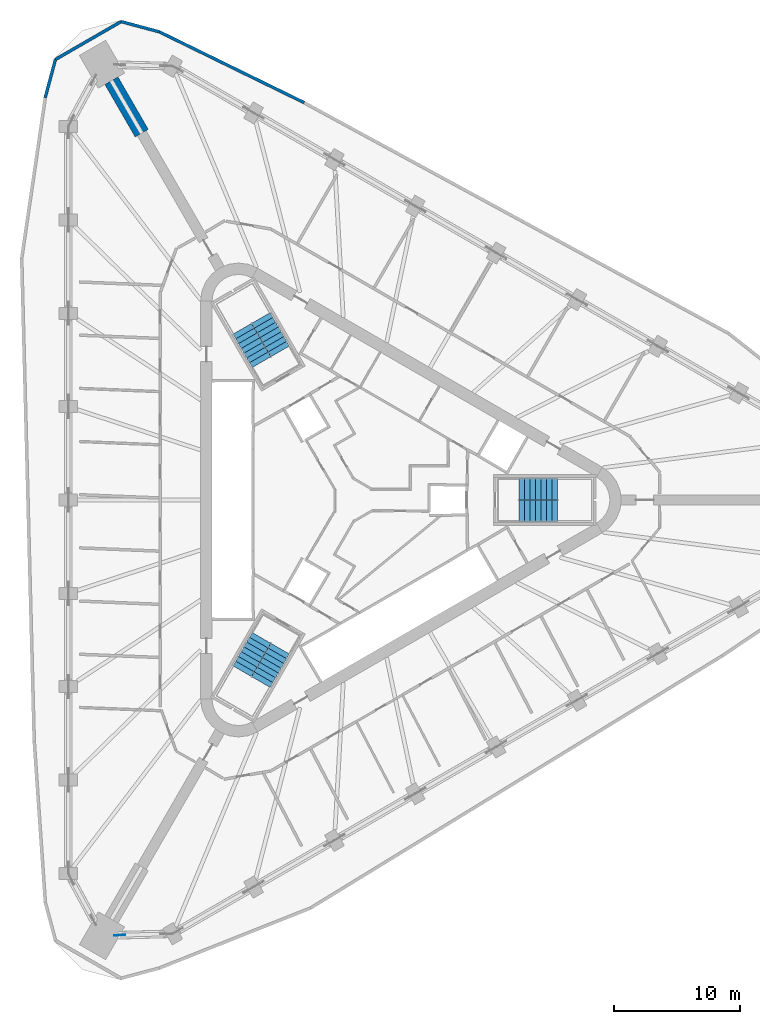
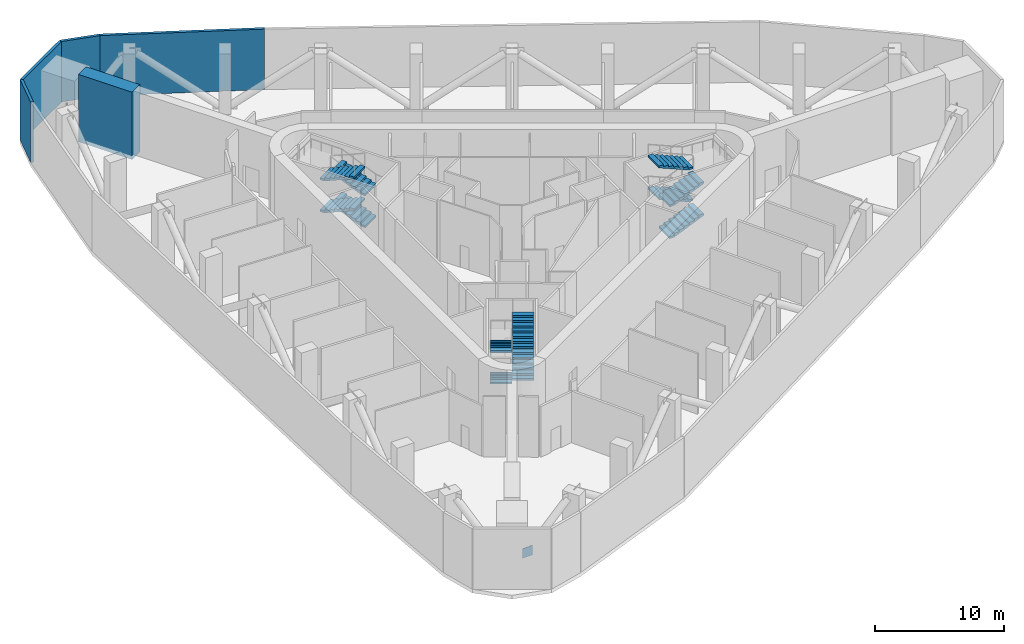
# One storey, part 8 of 13: 12 stair flights, 5 walls, 1 discrete accessory, 3 elements without a shape of their own.
"""IFC4 building model written with IfcOpenShell, lengths in metres."""

from ifc_helpers import new_model, si_unit, direction, frame, frame_2d, origin, origin_2d, place, context, subcontext, project, spatial, polyline, rectangle, outline, extrude, material, layer, layer_set, type_object, element, aggregate, save


model = new_model("IFC4")

# Units and contexts
model_context = context("Model", 3, precision=1e-05, world=origin(), true_north=direction((0.0, 1.0)))
body_context = subcontext(model_context, "Body", "Model", "MODEL_VIEW")
ifc_project = project(units=[si_unit("LENGTHUNIT", "METRE"), si_unit("AREAUNIT", "SQUARE_METRE"), si_unit("VOLUMEUNIT", "CUBIC_METRE"), si_unit("PLANEANGLEUNIT", "RADIAN"), si_unit("MASSUNIT", "GRAM", prefix="KILO")], contexts=[model_context])

# Site, building, storey
site_placement = place(None, origin())
site = spatial("IfcSite", under=ifc_project, at=site_placement, CompositionType="ELEMENT")
building_placement = place(site_placement, origin())
building = spatial("IfcBuilding", under=site, at=building_placement, Name="Tanit Gate Tower", CompositionType="ELEMENT")
storey_placement = place(building_placement, frame((0.0, 0.0, 163.199951171875)))
storey = spatial("IfcBuildingStorey", under=building, at=storey_placement, Name="L35", CompositionType="ELEMENT", Elevation=163.199951171875)

# Walls
ifc_material_1 = material(Name="Concrete C30/37 with bronze anodised aluminium cladding", Category="concrete")
ifc_layer_1 = layer(ifc_material_1, 0.239990234375)
ifc_layer_set_1 = layer_set([ifc_layer_1], Name="Facade wall bronze clad 240")
wall_type_1 = type_object("IfcWallType", Name="Facade wall bronze clad 240", PredefinedType="SOLIDWALL", material=ifc_layer_set_1)
wall_1_placement = place(storey_placement, frame((-3.9072265625, 31.460205078125, 0.0), z_axis=(0.0, 0.0, 1.0), x_axis=(-0.898378322221, 0.439222483672, 0.0)))
element("IfcWall", 1, at=wall_1_placement, inside=storey, type_object=wall_type_1, Name="Bronze-clad facade wall L35 NE3", PredefinedType="SOLIDWALL", context=body_context, shape_type="SweptSolid", body=[
    extrude(rectangle(XDim=12.76220703125, YDim=0.239990234375, at=frame_2d((6.381103515625, 0.0))), origin(), (0.0, 0.0, 1.0), 5.699951171875),
])
wall_2_placement = place(storey_placement, frame((-15.37255859375, 37.065673828125, 0.0), z_axis=(0.0, 0.0, 1.0), x_axis=(-0.965928914048, 0.258807521156, 0.0)))
element("IfcWall", 2, at=wall_2_placement, inside=storey, type_object=wall_type_1, Name="Bronze-clad facade wall L35 NW.arc1", PredefinedType="SOLIDWALL", context=body_context, shape_type="SweptSolid", body=[
    extrude(rectangle(XDim=3.1318359375, YDim=0.239990234375, at=frame_2d((1.56591796875, 0.0))), origin(), (0.0, 0.0, 1.0), 5.699951171875),
])
wall_3_placement = place(storey_placement, frame((-18.397705078125, 37.876220703125, 0.0), z_axis=(0.0, 0.0, 1.0), x_axis=(-0.866037453254, -0.499979129126, 0.0)))
element("IfcWall", 3, at=wall_3_placement, inside=storey, type_object=wall_type_1, Name="Bronze-clad facade wall L35 NW.arc2", PredefinedType="SOLIDWALL", context=body_context, shape_type="SweptSolid", body=[
    extrude(rectangle(XDim=6.010498046875, YDim=0.239990234375, at=frame_2d((3.00537109375, 0.0))), origin(), (0.0, 0.0, 1.0), 5.699951171875),
])
wall_4_placement = place(storey_placement, frame((-23.60302734375, 34.87109375, 0.0), z_axis=(0.0, 0.0, 1.0), x_axis=(-0.258820386593, -0.965925466837, 0.0)))
element("IfcWall", 4, at=wall_4_placement, inside=storey, type_object=wall_type_1, Name="Bronze-clad facade wall L35 NW.arc3", PredefinedType="SOLIDWALL", context=body_context, shape_type="SweptSolid", body=[
    extrude(rectangle(XDim=3.136474609375, YDim=0.239990234375, at=frame_2d((1.568359375, 0.0))), origin(), (0.0, 0.0, 1.0), 5.699951171875),
])
ifc_material_2 = material(Name="Concrete C60/75", Category="concrete")
ifc_layer_2 = layer(ifc_material_2, 1.199951171875)
ifc_layer_set_2 = layer_set([ifc_layer_2], Name="OUTRIGGER WALL 1200 C60/75")
wall_type_2 = type_object("IfcWallType", Name="OUTRIGGER WALL 1200 C60/75", PredefinedType="SHEAR", material=ifc_layer_set_2)
wall_5_placement = place(storey_placement, frame((-16.766845703125, 29.041015625, -0.349853515625), z_axis=(0.0, 0.0, 1.0), x_axis=(-0.499998569178, 0.866026229868, 0.0)))
element("IfcWall", 5, at=wall_5_placement, inside=storey, type_object=wall_type_2, Name="OUTRIGGER WALL", PredefinedType="SHEAR", context=body_context, shape_type="SweptSolid", body=[
    extrude(rectangle(XDim=4.79638671875, YDim=1.199951171875, at=frame_2d((2.398193359375, 0.0))), origin(), (0.0, 0.0, 1.0), 6.349853515625),
])

# Stair, stair flights
ifc_material_3 = material(Name="Concrete C40/50", Category="concrete")
stair_type = type_object("IfcStairType", Name="INT-STAIR-EXIT", PredefinedType="HALF_TURN_STAIR", material=ifc_material_3)
stair_1_placement = place(storey_placement, origin())
stair_1 = element("IfcStair", 6, at=stair_1_placement, inside=storey, type_object=stair_type, Name="L35 STAIR S1", PredefinedType="HALF_TURN_STAIR")
ifc_material_4 = material(Name="Concrete C40/50", Category="concrete")
stair_flight_type = type_object("IfcStairFlightType", Name="INT-STAIR-FLIGHT", PredefinedType="STRAIGHT", material=ifc_material_4)
stair_flight_1_placement = place(storey_placement, frame((13.094970703125, -0.8525390625, 0.0), z_axis=(0.0, 0.0, 1.0), x_axis=(1.0, 0.0, 0.0)))
stair_flight_1 = element("IfcStairFlight", 7, at=stair_flight_1_placement, type_object=stair_flight_type, Name="S1 flight 1", NumberOfRisers=8, NumberOfTreads=7, PredefinedType="STRAIGHT", RiserHeight=0.1875, TreadLength=0.435857143, context=body_context, shape_type="SweptSolid", body=[
    extrude(outline(polyline([(0.0, 0.0), (0.0, 0.1875), (0.435791015625, 0.1875), (0.435791015625, 0.375), (0.871826171875, 0.375), (0.871826171875, 0.5625), (1.3076171875, 0.5625), (1.3076171875, 0.75), (1.743408203125, 0.75), (1.743408203125, 0.9375), (2.17919921875, 0.9375), (2.17919921875, 1.125), (2.615234375, 1.125), (2.615234375, 1.3125), (3.051025390625, 1.3125), (3.051025390625, 1.5), (3.051025390625, 1.1494140625), (0.37939453125, 0.0), (0.0, 0.0)])), frame((0.0, 0.84765625, 0.0), z_axis=(0.0, -1.0, 0.0), x_axis=(1.0, 0.0, 0.0)), (0.0, 0.0, 1.0), 1.695068359375),
])
stair_flight_2_placement = place(storey_placement, frame((16.14599609375, 0.8525390625, 1.5), z_axis=(0.0, 0.0, 1.0), x_axis=(-1.0, 0.0, 0.0)))
stair_flight_2 = element("IfcStairFlight", 8, at=stair_flight_2_placement, type_object=stair_flight_type, Name="S1 flight 2", NumberOfRisers=8, NumberOfTreads=7, PredefinedType="STRAIGHT", RiserHeight=0.1875, TreadLength=0.435857143, context=body_context, shape_type="SweptSolid", body=[
    extrude(outline(polyline([(0.0, 0.0), (0.0, 0.1875), (0.435791015625, 0.1875), (0.435791015625, 0.375), (0.871826171875, 0.375), (0.871826171875, 0.5625), (1.3076171875, 0.5625), (1.3076171875, 0.75), (1.743408203125, 0.75), (1.743408203125, 0.9375), (2.17919921875, 0.9375), (2.17919921875, 1.125), (2.615234375, 1.125), (2.615234375, 1.3125), (3.051025390625, 1.3125), (3.051025390625, 1.5), (3.051025390625, 1.1494140625), (0.37939453125, 0.0), (0.0, 0.0)])), frame((0.0, 0.84765625, 0.0), z_axis=(0.0, -1.0, 0.0), x_axis=(1.0, 0.0, 0.0)), (0.0, 0.0, 1.0), 1.695068359375),
])
stair_flight_3_placement = place(storey_placement, frame((13.094970703125, -0.8525390625, 3.0), z_axis=(0.0, 0.0, 1.0), x_axis=(1.0, 0.0, 0.0)))
stair_flight_3 = element("IfcStairFlight", 9, at=stair_flight_3_placement, type_object=stair_flight_type, Name="S1 flight 3", NumberOfRisers=8, NumberOfTreads=7, PredefinedType="STRAIGHT", RiserHeight=0.1875, TreadLength=0.435857143, context=body_context, shape_type="SweptSolid", body=[
    extrude(outline(polyline([(0.0, 0.0), (0.0, 0.1875), (0.435791015625, 0.1875), (0.435791015625, 0.375), (0.871826171875, 0.375), (0.871826171875, 0.5625), (1.3076171875, 0.5625), (1.3076171875, 0.75), (1.743408203125, 0.75), (1.743408203125, 0.9375), (2.17919921875, 0.9375), (2.17919921875, 1.125), (2.615234375, 1.125), (2.615234375, 1.3125), (3.051025390625, 1.3125), (3.051025390625, 1.5), (3.051025390625, 1.1494140625), (0.37939453125, 0.0), (0.0, 0.0)])), frame((0.0, 0.84765625, 0.0), z_axis=(0.0, -1.0, 0.0), x_axis=(1.0, 0.0, 0.0)), (0.0, 0.0, 1.0), 1.695068359375),
])
stair_flight_4_placement = place(storey_placement, frame((16.14599609375, 0.8525390625, 4.5), z_axis=(0.0, 0.0, 1.0), x_axis=(-1.0, 0.0, 0.0)))
stair_flight_4 = element("IfcStairFlight", 10, at=stair_flight_4_placement, type_object=stair_flight_type, Name="S1 flight 4", NumberOfRisers=8, NumberOfTreads=7, PredefinedType="STRAIGHT", RiserHeight=0.1875, TreadLength=0.435857143, context=body_context, shape_type="SweptSolid", body=[
    extrude(outline(polyline([(0.0, 0.0), (0.0, 0.1875), (0.435791015625, 0.1875), (0.435791015625, 0.375), (0.871826171875, 0.375), (0.871826171875, 0.5625), (1.3076171875, 0.5625), (1.3076171875, 0.75), (1.743408203125, 0.75), (1.743408203125, 0.9375), (2.17919921875, 0.9375), (2.17919921875, 1.125), (2.615234375, 1.125), (2.615234375, 1.3125), (3.051025390625, 1.3125), (3.051025390625, 1.5), (3.051025390625, 1.1494140625), (0.37939453125, 0.0), (0.0, 0.0)])), frame((0.0, 0.84765625, 0.0), z_axis=(0.0, -1.0, 0.0), x_axis=(1.0, 0.0, 0.0)), (0.0, 0.0, 1.0), 1.695068359375),
])
aggregate(stair_1, [stair_flight_1, stair_flight_2, stair_flight_3, stair_flight_4])

stair_2_placement = place(storey_placement, origin())
stair_2 = element("IfcStair", 11, at=stair_2_placement, inside=storey, type_object=stair_type, Name="L35 STAIR S2", PredefinedType="HALF_TURN_STAIR")
stair_flight_5_placement = place(storey_placement, frame((-5.808349609375, 11.766357421875, 0.0), z_axis=(0.0, 0.0, 1.0), x_axis=(-0.5, 0.866025403784, 0.0)))
stair_flight_5 = element("IfcStairFlight", 12, at=stair_flight_5_placement, type_object=stair_flight_type, Name="S2 flight 1", NumberOfRisers=8, NumberOfTreads=7, PredefinedType="STRAIGHT", RiserHeight=0.1875, TreadLength=0.4356, context=body_context, shape_type="SweptSolid", body=[
    extrude(outline(polyline([(0.0, 0.0), (0.0, 0.1875), (0.435546875, 0.1875), (0.435546875, 0.375), (0.87109375, 0.375), (0.87109375, 0.5625), (1.306884765625, 0.5625), (1.306884765625, 0.75), (1.742431640625, 0.75), (1.742431640625, 0.9375), (2.177978515625, 0.9375), (2.177978515625, 1.125), (2.613525390625, 1.125), (2.613525390625, 1.3125), (3.04931640625, 1.3125), (3.04931640625, 1.5), (3.04931640625, 1.1494140625), (0.379150390625, 0.0), (0.0, 0.0)])), frame((0.0, 0.84716796875, 0.0), z_axis=(0.0, -1.0, 0.0), x_axis=(1.0, 0.0, 0.0)), (0.0, 0.0, 1.0), 1.694091796875),
])
stair_flight_6_placement = place(storey_placement, frame((-8.810302734375, 13.553955078125, 1.5), z_axis=(0.0, 0.0, 1.0), x_axis=(0.5, -0.866025403784, 0.0)))
stair_flight_6 = element("IfcStairFlight", 13, at=stair_flight_6_placement, type_object=stair_flight_type, Name="S2 flight 2", NumberOfRisers=8, NumberOfTreads=7, PredefinedType="STRAIGHT", RiserHeight=0.1875, TreadLength=0.4356, context=body_context, shape_type="SweptSolid", body=[
    extrude(outline(polyline([(0.0, 0.0), (0.0, 0.1875), (0.435546875, 0.1875), (0.435546875, 0.375), (0.87109375, 0.375), (0.87109375, 0.5625), (1.306884765625, 0.5625), (1.306884765625, 0.75), (1.742431640625, 0.75), (1.742431640625, 0.9375), (2.177978515625, 0.9375), (2.177978515625, 1.125), (2.613525390625, 1.125), (2.613525390625, 1.3125), (3.04931640625, 1.3125), (3.04931640625, 1.5), (3.04931640625, 1.1494140625), (0.379150390625, 0.0), (0.0, 0.0)])), frame((0.0, 0.84716796875, 0.0), z_axis=(0.0, -1.0, 0.0), x_axis=(1.0, 0.0, 0.0)), (0.0, 0.0, 1.0), 1.694091796875),
])
stair_flight_7_placement = place(storey_placement, frame((-5.808349609375, 11.766357421875, 3.0), z_axis=(0.0, 0.0, 1.0), x_axis=(-0.5, 0.866025403784, 0.0)))
stair_flight_7 = element("IfcStairFlight", 14, at=stair_flight_7_placement, type_object=stair_flight_type, Name="S2 flight 3", NumberOfRisers=8, NumberOfTreads=7, PredefinedType="STRAIGHT", RiserHeight=0.1875, TreadLength=0.4356, context=body_context, shape_type="SweptSolid", body=[
    extrude(outline(polyline([(0.0, 0.0), (0.0, 0.1875), (0.435546875, 0.1875), (0.435546875, 0.375), (0.87109375, 0.375), (0.87109375, 0.5625), (1.306884765625, 0.5625), (1.306884765625, 0.75), (1.742431640625, 0.75), (1.742431640625, 0.9375), (2.177978515625, 0.9375), (2.177978515625, 1.125), (2.613525390625, 1.125), (2.613525390625, 1.3125), (3.04931640625, 1.3125), (3.04931640625, 1.5), (3.04931640625, 1.1494140625), (0.379150390625, 0.0), (0.0, 0.0)])), frame((0.0, 0.84716796875, 0.0), z_axis=(0.0, -1.0, 0.0), x_axis=(1.0, 0.0, 0.0)), (0.0, 0.0, 1.0), 1.694091796875),
])
stair_flight_8_placement = place(storey_placement, frame((-8.810302734375, 13.553955078125, 4.5), z_axis=(0.0, 0.0, 1.0), x_axis=(0.5, -0.866025403784, 0.0)))
stair_flight_8 = element("IfcStairFlight", 15, at=stair_flight_8_placement, type_object=stair_flight_type, Name="S2 flight 4", NumberOfRisers=8, NumberOfTreads=7, PredefinedType="STRAIGHT", RiserHeight=0.1875, TreadLength=0.4356, context=body_context, shape_type="SweptSolid", body=[
    extrude(outline(polyline([(0.0, 0.0), (0.0, 0.1875), (0.435546875, 0.1875), (0.435546875, 0.375), (0.87109375, 0.375), (0.87109375, 0.5625), (1.306884765625, 0.5625), (1.306884765625, 0.75), (1.742431640625, 0.75), (1.742431640625, 0.9375), (2.177978515625, 0.9375), (2.177978515625, 1.125), (2.613525390625, 1.125), (2.613525390625, 1.3125), (3.04931640625, 1.3125), (3.04931640625, 1.5), (3.04931640625, 1.1494140625), (0.379150390625, 0.0), (0.0, 0.0)])), frame((0.0, 0.84716796875, 0.0), z_axis=(0.0, -1.0, 0.0), x_axis=(1.0, 0.0, 0.0)), (0.0, 0.0, 1.0), 1.694091796875),
])
aggregate(stair_2, [stair_flight_5, stair_flight_6, stair_flight_7, stair_flight_8])

stair_3_placement = place(storey_placement, origin())
stair_3 = element("IfcStair", 16, at=stair_3_placement, inside=storey, type_object=stair_type, Name="L35 STAIR S3", PredefinedType="HALF_TURN_STAIR")
stair_flight_9_placement = place(storey_placement, frame((-7.285888671875, -10.914306640625, 0.0), z_axis=(0.0, 0.0, 1.0), x_axis=(-0.5, -0.866025403784, 0.0)))
stair_flight_9 = element("IfcStairFlight", 17, at=stair_flight_9_placement, type_object=stair_flight_type, Name="S3 flight 1", NumberOfRisers=8, NumberOfTreads=7, PredefinedType="STRAIGHT", RiserHeight=0.1875, TreadLength=0.435857143, context=body_context, shape_type="SweptSolid", body=[
    extrude(outline(polyline([(0.0, 0.0), (0.0, 0.1875), (0.435791015625, 0.1875), (0.435791015625, 0.375), (0.871826171875, 0.375), (0.871826171875, 0.5625), (1.3076171875, 0.5625), (1.3076171875, 0.75), (1.743408203125, 0.75), (1.743408203125, 0.9375), (2.17919921875, 0.9375), (2.17919921875, 1.125), (2.615234375, 1.125), (2.615234375, 1.3125), (3.051025390625, 1.3125), (3.051025390625, 1.5), (3.051025390625, 1.1494140625), (0.37939453125, 0.0), (0.0, 0.0)])), frame((0.0, 0.84765625, 0.0), z_axis=(0.0, -1.0, 0.0), x_axis=(1.0, 0.0, 0.0)), (0.0, 0.0, 1.0), 1.695068359375),
])
stair_flight_10_placement = place(storey_placement, frame((-7.334716796875, -14.4091796875, 1.5), z_axis=(0.0, 0.0, 1.0), x_axis=(0.5, 0.866025403784, 0.0)))
stair_flight_10 = element("IfcStairFlight", 18, at=stair_flight_10_placement, type_object=stair_flight_type, Name="S3 flight 2", NumberOfRisers=8, NumberOfTreads=7, PredefinedType="STRAIGHT", RiserHeight=0.1875, TreadLength=0.435857143, context=body_context, shape_type="SweptSolid", body=[
    extrude(outline(polyline([(0.0, 0.0), (0.0, 0.1875), (0.435791015625, 0.1875), (0.435791015625, 0.375), (0.871826171875, 0.375), (0.871826171875, 0.5625), (1.3076171875, 0.5625), (1.3076171875, 0.75), (1.743408203125, 0.75), (1.743408203125, 0.9375), (2.17919921875, 0.9375), (2.17919921875, 1.125), (2.615234375, 1.125), (2.615234375, 1.3125), (3.051025390625, 1.3125), (3.051025390625, 1.5), (3.051025390625, 1.1494140625), (0.37939453125, 0.0), (0.0, 0.0)])), frame((0.0, 0.84765625, 0.0), z_axis=(0.0, -1.0, 0.0), x_axis=(1.0, 0.0, 0.0)), (0.0, 0.0, 1.0), 1.695068359375),
])
stair_flight_11_placement = place(storey_placement, frame((-7.285888671875, -10.914306640625, 3.0), z_axis=(0.0, 0.0, 1.0), x_axis=(-0.5, -0.866025403784, 0.0)))
stair_flight_11 = element("IfcStairFlight", 19, at=stair_flight_11_placement, type_object=stair_flight_type, Name="S3 flight 3", NumberOfRisers=8, NumberOfTreads=7, PredefinedType="STRAIGHT", RiserHeight=0.1875, TreadLength=0.435857143, context=body_context, shape_type="SweptSolid", body=[
    extrude(outline(polyline([(0.0, 0.0), (0.0, 0.1875), (0.435791015625, 0.1875), (0.435791015625, 0.375), (0.871826171875, 0.375), (0.871826171875, 0.5625), (1.3076171875, 0.5625), (1.3076171875, 0.75), (1.743408203125, 0.75), (1.743408203125, 0.9375), (2.17919921875, 0.9375), (2.17919921875, 1.125), (2.615234375, 1.125), (2.615234375, 1.3125), (3.051025390625, 1.3125), (3.051025390625, 1.5), (3.051025390625, 1.1494140625), (0.37939453125, 0.0), (0.0, 0.0)])), frame((0.0, 0.84765625, 0.0), z_axis=(0.0, -1.0, 0.0), x_axis=(1.0, 0.0, 0.0)), (0.0, 0.0, 1.0), 1.695068359375),
])
stair_flight_12_placement = place(storey_placement, frame((-7.334716796875, -14.4091796875, 4.5), z_axis=(0.0, 0.0, 1.0), x_axis=(0.5, 0.866025403784, 0.0)))
stair_flight_12 = element("IfcStairFlight", 20, at=stair_flight_12_placement, type_object=stair_flight_type, Name="S3 flight 4", NumberOfRisers=8, NumberOfTreads=7, PredefinedType="STRAIGHT", RiserHeight=0.1875, TreadLength=0.435857143, context=body_context, shape_type="SweptSolid", body=[
    extrude(outline(polyline([(0.0, 0.0), (0.0, 0.1875), (0.435791015625, 0.1875), (0.435791015625, 0.375), (0.871826171875, 0.375), (0.871826171875, 0.5625), (1.3076171875, 0.5625), (1.3076171875, 0.75), (1.743408203125, 0.75), (1.743408203125, 0.9375), (2.17919921875, 0.9375), (2.17919921875, 1.125), (2.615234375, 1.125), (2.615234375, 1.3125), (3.051025390625, 1.3125), (3.051025390625, 1.5), (3.051025390625, 1.1494140625), (0.37939453125, 0.0), (0.0, 0.0)])), frame((0.0, 0.84765625, 0.0), z_axis=(0.0, -1.0, 0.0), x_axis=(1.0, 0.0, 0.0)), (0.0, 0.0, 1.0), 1.695068359375),
])
aggregate(stair_3, [stair_flight_9, stair_flight_10, stair_flight_11, stair_flight_12])

# Discrete accessory
ifc_material_5 = material(Name="Steel S460", Category="steel")
ifc_layer_3 = layer(ifc_material_5, 0.0400390625)
ifc_layer_set_3 = layer_set([ifc_layer_3], Name="GUSSET PLATE 900x900x40 S460")
discrete_accessory_type = type_object("IfcDiscreteAccessoryType", Name="GUSSET PLATE 900x900x40 S460", PredefinedType="BRACKET", material=ifc_layer_set_3)
discrete_accessory_placement = place(storey_placement, frame((-18.507080078125, -34.455078125, 0.98291015625), z_axis=(0.0, 0.0, 1.0), x_axis=(0.999622202997, 0.027485473886, 0.0)))
element("IfcDiscreteAccessory", 21, at=discrete_accessory_placement, inside=storey, type_object=discrete_accessory_type, Name="GUSSET PLATE NODE L35-049", PredefinedType="BRACKET", context=body_context, shape_type="SweptSolid", body=[
    extrude(rectangle(XDim=0.89990234375, YDim=0.0400390625, at=origin_2d()), origin(), (0.0, 0.0, 1.0), 0.89990234375),
])

save(model, "model.ifc")
